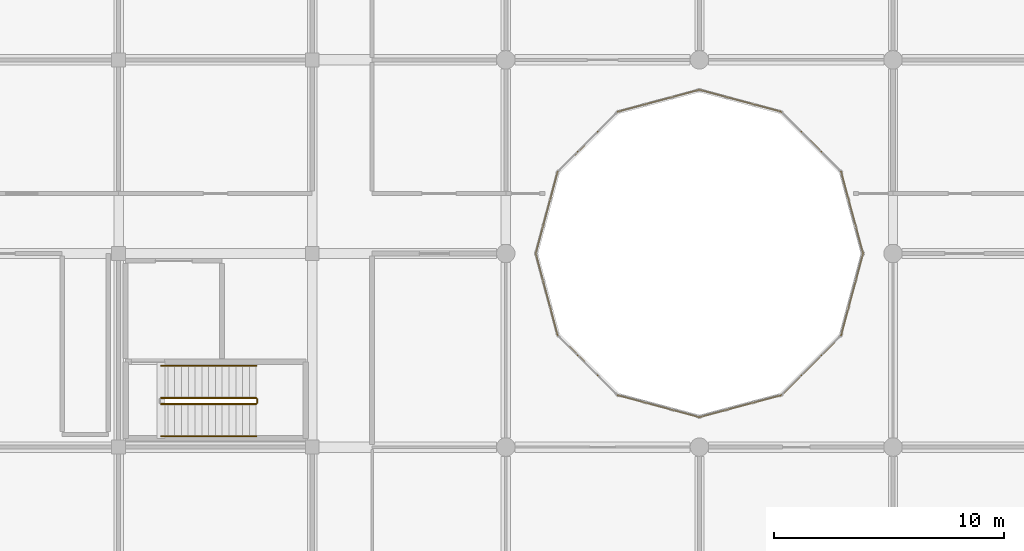
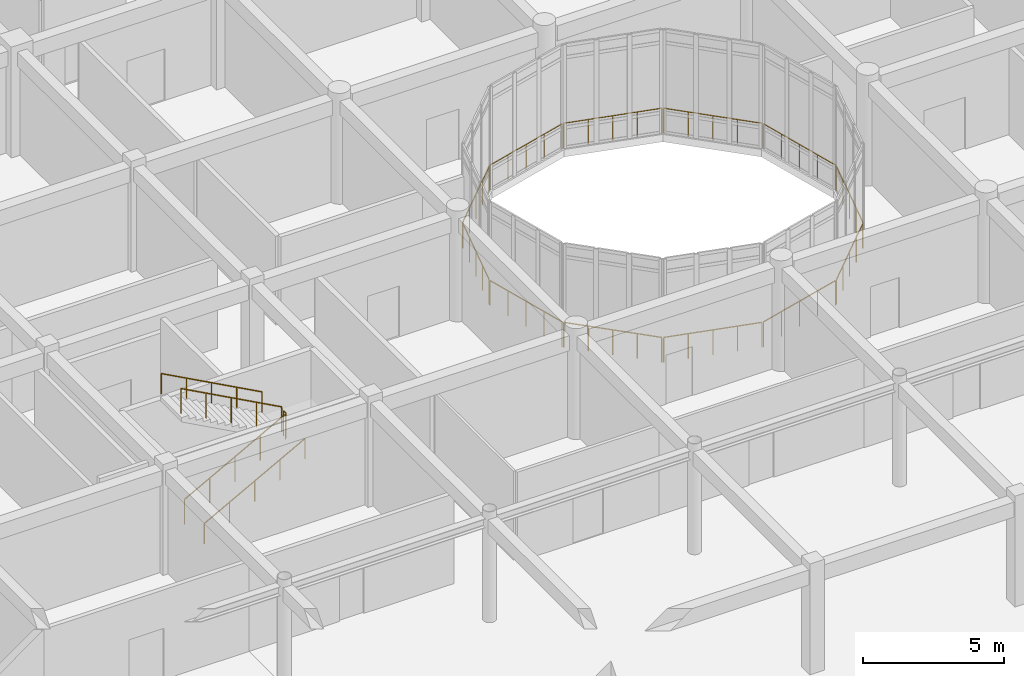
# One storey, part 126 of 138: 17 railings.
"""IFC4 building model written with IfcOpenShell, lengths in metres."""

from ifc_helpers import new_model, si_unit, direction, frame, origin, origin_2d, place, context, subcontext, project, spatial, circle, extrude, material, type_object, element, save


model = new_model("IFC4")

# Units and contexts
model_context = context("Model", 3, precision=1e-05, world=origin(), true_north=direction((0.0, 1.0)))
body_context = subcontext(model_context, "Body", "Model", "MODEL_VIEW")
ifc_project = project(units=[si_unit("LENGTHUNIT", "METRE"), si_unit("AREAUNIT", "SQUARE_METRE"), si_unit("VOLUMEUNIT", "CUBIC_METRE"), si_unit("PLANEANGLEUNIT", "RADIAN"), si_unit("MASSUNIT", "GRAM", prefix="KILO")], contexts=[model_context])

# Site, building, storey
site_placement = place(None, origin())
site = spatial("IfcSite", under=ifc_project, at=site_placement, CompositionType="ELEMENT")
building_placement = place(site_placement, origin())
building = spatial("IfcBuilding", under=site, at=building_placement, Name="Bramfleet General Hospital", CompositionType="ELEMENT")
storey_placement = place(building_placement, origin())
storey = spatial("IfcBuildingStorey", under=building, at=storey_placement, Name="L00", CompositionType="ELEMENT", Elevation=0.0)

# Railings
ifc_material_1 = material(Name="Stainless steel 1.4401 safety balustrade", Category="steel")
railing_type_1 = type_object("IfcRailingType", Name="RAIL-EXT-GUARD", PredefinedType="GUARDRAIL", material=ifc_material_1)
railing_1_placement = place(storey_placement, frame((76.906005859375, 75.564453125, 0.0)))
element("IfcRailing", 1, at=railing_1_placement, inside=storey, type_object=railing_type_1, Name="L00 Safety Guard Rail 13", PredefinedType="GUARDRAIL", context=body_context, shape_type="SweptSolid", body=[
    extrude(circle(Radius=0.02392578125, at=origin_2d()), frame((0.0, 0.0, 1.076171875), z_axis=(0.258809459738, -0.965928394629, 0.0), x_axis=(0.965928394629, 0.258809459738, 0.0)), (0.0, 0.0, 1.0), 3.603515625),
    extrude(circle(Radius=0.02099609375, at=origin_2d()), origin(), (0.0, 0.0, 1.0), 1.052001953125),
    extrude(circle(Radius=0.02099609375, at=origin_2d()), frame((0.233154296875, -0.8701171875, 0.0)), (0.0, 0.0, 1.0), 1.052001953125),
    extrude(circle(Radius=0.02099609375, at=origin_2d()), frame((0.46630859375, -1.740234375, 0.0)), (0.0, 0.0, 1.0), 1.052001953125),
    extrude(circle(Radius=0.02099609375, at=origin_2d()), frame((0.699462890625, -2.610595703125, 0.0)), (0.0, 0.0, 1.0), 1.052001953125),
    extrude(circle(Radius=0.02099609375, at=origin_2d()), frame((0.9326171875, -3.480712890625, 0.0)), (0.0, 0.0, 1.0), 1.052001953125),
])
railing_2_placement = place(storey_placement, frame((77.874267578125, 72.022216796875, 0.0)))
element("IfcRailing", 2, at=railing_2_placement, inside=storey, type_object=railing_type_1, Name="L00 Safety Guard Rail 14", PredefinedType="GUARDRAIL", context=body_context, shape_type="SweptSolid", body=[
    extrude(circle(Radius=0.02392578125, at=origin_2d()), frame((0.0, 0.0, 1.076171875), z_axis=(0.707072903751, -0.707140656999, 0.0), x_axis=(0.707140656999, 0.707072903751, 0.0)), (0.0, 0.0, 1.0), 3.603271484375),
    extrude(circle(Radius=0.02099609375, at=origin_2d()), origin(), (0.0, 0.0, 1.0), 1.052001953125),
    extrude(circle(Radius=0.02099609375, at=origin_2d()), frame((0.636962890625, -0.636962890625, 0.0)), (0.0, 0.0, 1.0), 1.052001953125),
    extrude(circle(Radius=0.02099609375, at=origin_2d()), frame((1.27392578125, -1.27392578125, 0.0)), (0.0, 0.0, 1.0), 1.052001953125),
    extrude(circle(Radius=0.02099609375, at=origin_2d()), frame((1.910888671875, -1.9111328125, 0.0)), (0.0, 0.0, 1.0), 1.052001953125),
    extrude(circle(Radius=0.02099609375, at=origin_2d()), frame((2.5478515625, -2.548095703125, 0.0)), (0.0, 0.0, 1.0), 1.052001953125),
])
railing_3_placement = place(storey_placement, frame((80.48388671875, 69.438720703125, 0.0)))
element("IfcRailing", 3, at=railing_3_placement, inside=storey, type_object=railing_type_1, Name="L00 Safety Guard Rail 15", PredefinedType="GUARDRAIL", context=body_context, shape_type="SweptSolid", body=[
    extrude(circle(Radius=0.02392578125, at=origin_2d()), frame((0.0, 0.0, 1.076171875), z_axis=(0.965928394629, -0.258809459738, 0.0), x_axis=(0.258809459738, 0.965928394629, 0.0)), (0.0, 0.0, 1.0), 3.603515625),
    extrude(circle(Radius=0.02099609375, at=origin_2d()), origin(), (0.0, 0.0, 1.0), 1.052001953125),
    extrude(circle(Radius=0.02099609375, at=origin_2d()), frame((0.8701171875, -0.233154296875, 0.0)), (0.0, 0.0, 1.0), 1.052001953125),
    extrude(circle(Radius=0.02099609375, at=origin_2d()), frame((1.740234375, -0.46630859375, 0.0)), (0.0, 0.0, 1.0), 1.052001953125),
    extrude(circle(Radius=0.02099609375, at=origin_2d()), frame((2.610595703125, -0.699462890625, 0.0)), (0.0, 0.0, 1.0), 1.052001953125),
    extrude(circle(Radius=0.02099609375, at=origin_2d()), frame((3.480712890625, -0.9326171875, 0.0)), (0.0, 0.0, 1.0), 1.052001953125),
])
railing_4_placement = place(storey_placement, frame((84.035400390625, 68.506103515625, 0.0)))
element("IfcRailing", 4, at=railing_4_placement, inside=storey, type_object=railing_type_1, Name="L00 Safety Guard Rail 16", PredefinedType="GUARDRAIL", context=body_context, shape_type="SweptSolid", body=[
    extrude(circle(Radius=0.02392578125, at=origin_2d()), frame((0.0, 0.0, 1.076171875), z_axis=(0.965928394629, 0.258809459738, 0.0), x_axis=(-0.258809459738, 0.965928394629, 0.0)), (0.0, 0.0, 1.0), 3.603515625),
    extrude(circle(Radius=0.02099609375, at=origin_2d()), origin(), (0.0, 0.0, 1.0), 1.052001953125),
    extrude(circle(Radius=0.02099609375, at=origin_2d()), frame((0.8701171875, 0.233154296875, 0.0)), (0.0, 0.0, 1.0), 1.052001953125),
    extrude(circle(Radius=0.02099609375, at=origin_2d()), frame((1.740234375, 0.46630859375, 0.0)), (0.0, 0.0, 1.0), 1.052001953125),
    extrude(circle(Radius=0.02099609375, at=origin_2d()), frame((2.610595703125, 0.699462890625, 0.0)), (0.0, 0.0, 1.0), 1.052001953125),
    extrude(circle(Radius=0.02099609375, at=origin_2d()), frame((3.480712890625, 0.9326171875, 0.0)), (0.0, 0.0, 1.0), 1.052001953125),
])
railing_5_placement = place(storey_placement, frame((87.577880859375, 69.47412109375, 0.0)))
element("IfcRailing", 5, at=railing_5_placement, inside=storey, type_object=railing_type_1, Name="L00 Safety Guard Rail 17", PredefinedType="GUARDRAIL", context=body_context, shape_type="SweptSolid", body=[
    extrude(circle(Radius=0.02392578125, at=origin_2d()), frame((0.0, 0.0, 1.076171875), z_axis=(0.707072903751, 0.707140656999, 0.0), x_axis=(-0.707140656999, 0.707072903751, 0.0)), (0.0, 0.0, 1.0), 3.603271484375),
    extrude(circle(Radius=0.02099609375, at=origin_2d()), origin(), (0.0, 0.0, 1.0), 1.052001953125),
    extrude(circle(Radius=0.02099609375, at=origin_2d()), frame((0.636962890625, 0.636962890625, 0.0)), (0.0, 0.0, 1.0), 1.052001953125),
    extrude(circle(Radius=0.02099609375, at=origin_2d()), frame((1.27392578125, 1.27392578125, 0.0)), (0.0, 0.0, 1.0), 1.052001953125),
    extrude(circle(Radius=0.02099609375, at=origin_2d()), frame((1.910888671875, 1.9111328125, 0.0)), (0.0, 0.0, 1.0), 1.052001953125),
    extrude(circle(Radius=0.02099609375, at=origin_2d()), frame((2.5478515625, 2.548095703125, 0.0)), (0.0, 0.0, 1.0), 1.052001953125),
])
railing_6_placement = place(storey_placement, frame((90.161376953125, 72.083740234375, 0.0)))
element("IfcRailing", 6, at=railing_6_placement, inside=storey, type_object=railing_type_1, Name="L00 Safety Guard Rail 18", PredefinedType="GUARDRAIL", context=body_context, shape_type="SweptSolid", body=[
    extrude(circle(Radius=0.02392578125, at=origin_2d()), frame((0.0, 0.0, 1.076171875), z_axis=(0.258809459738, 0.965928394629, 0.0), x_axis=(-0.965928394629, 0.258809459738, 0.0)), (0.0, 0.0, 1.0), 3.603515625),
    extrude(circle(Radius=0.02099609375, at=origin_2d()), origin(), (0.0, 0.0, 1.0), 1.052001953125),
    extrude(circle(Radius=0.02099609375, at=origin_2d()), frame((0.233154296875, 0.8701171875, 0.0)), (0.0, 0.0, 1.0), 1.052001953125),
    extrude(circle(Radius=0.02099609375, at=origin_2d()), frame((0.46630859375, 1.740234375, 0.0)), (0.0, 0.0, 1.0), 1.052001953125),
    extrude(circle(Radius=0.02099609375, at=origin_2d()), frame((0.699462890625, 2.610595703125, 0.0)), (0.0, 0.0, 1.0), 1.052001953125),
    extrude(circle(Radius=0.02099609375, at=origin_2d()), frame((0.9326171875, 3.480712890625, 0.0)), (0.0, 0.0, 1.0), 1.052001953125),
])
railing_7_placement = place(storey_placement, frame((91.093994140625, 75.635498046875, 0.0)))
element("IfcRailing", 7, at=railing_7_placement, inside=storey, type_object=railing_type_1, Name="L00 Safety Guard Rail 19", PredefinedType="GUARDRAIL", context=body_context, shape_type="SweptSolid", body=[
    extrude(circle(Radius=0.02392578125, at=origin_2d()), frame((0.0, 0.0, 1.076171875), z_axis=(-0.258809459738, 0.965928394629, 0.0), x_axis=(-0.965928394629, -0.258809459738, 0.0)), (0.0, 0.0, 1.0), 3.603515625),
    extrude(circle(Radius=0.02099609375, at=origin_2d()), origin(), (0.0, 0.0, 1.0), 1.052001953125),
    extrude(circle(Radius=0.02099609375, at=origin_2d()), frame((-0.233154296875, 0.8701171875, 0.0)), (0.0, 0.0, 1.0), 1.052001953125),
    extrude(circle(Radius=0.02099609375, at=origin_2d()), frame((-0.46630859375, 1.740234375, 0.0)), (0.0, 0.0, 1.0), 1.052001953125),
    extrude(circle(Radius=0.02099609375, at=origin_2d()), frame((-0.699462890625, 2.610595703125, 0.0)), (0.0, 0.0, 1.0), 1.052001953125),
    extrude(circle(Radius=0.02099609375, at=origin_2d()), frame((-0.9326171875, 3.480712890625, 0.0)), (0.0, 0.0, 1.0), 1.052001953125),
])
railing_8_placement = place(storey_placement, frame((90.125732421875, 79.177734375, 0.0)))
element("IfcRailing", 8, at=railing_8_placement, inside=storey, type_object=railing_type_1, Name="L00 Safety Guard Rail 20", PredefinedType="GUARDRAIL", context=body_context, shape_type="SweptSolid", body=[
    extrude(circle(Radius=0.02392578125, at=origin_2d()), frame((0.0, 0.0, 1.076171875), z_axis=(-0.707072903751, 0.707140656999, 0.0), x_axis=(-0.707140656999, -0.707072903751, 0.0)), (0.0, 0.0, 1.0), 3.603271484375),
    extrude(circle(Radius=0.02099609375, at=origin_2d()), origin(), (0.0, 0.0, 1.0), 1.052001953125),
    extrude(circle(Radius=0.02099609375, at=origin_2d()), frame((-0.636962890625, 0.636962890625, 0.0)), (0.0, 0.0, 1.0), 1.052001953125),
    extrude(circle(Radius=0.02099609375, at=origin_2d()), frame((-1.27392578125, 1.27392578125, 0.0)), (0.0, 0.0, 1.0), 1.052001953125),
    extrude(circle(Radius=0.02099609375, at=origin_2d()), frame((-1.910888671875, 1.9111328125, 0.0)), (0.0, 0.0, 1.0), 1.052001953125),
    extrude(circle(Radius=0.02099609375, at=origin_2d()), frame((-2.5478515625, 2.548095703125, 0.0)), (0.0, 0.0, 1.0), 1.052001953125),
])
railing_9_placement = place(storey_placement, frame((87.51611328125, 81.761474609375, 0.0)))
element("IfcRailing", 9, at=railing_9_placement, inside=storey, type_object=railing_type_1, Name="L00 Safety Guard Rail 21", PredefinedType="GUARDRAIL", context=body_context, shape_type="SweptSolid", body=[
    extrude(circle(Radius=0.02392578125, at=origin_2d()), frame((0.0, 0.0, 1.076171875), z_axis=(-0.965928394629, 0.258809459738, 0.0), x_axis=(-0.258809459738, -0.965928394629, 0.0)), (0.0, 0.0, 1.0), 3.603515625),
    extrude(circle(Radius=0.02099609375, at=origin_2d()), origin(), (0.0, 0.0, 1.0), 1.052001953125),
    extrude(circle(Radius=0.02099609375, at=origin_2d()), frame((-0.8701171875, 0.233154296875, 0.0)), (0.0, 0.0, 1.0), 1.052001953125),
    extrude(circle(Radius=0.02099609375, at=origin_2d()), frame((-1.740234375, 0.46630859375, 0.0)), (0.0, 0.0, 1.0), 1.052001953125),
    extrude(circle(Radius=0.02099609375, at=origin_2d()), frame((-2.610595703125, 0.699462890625, 0.0)), (0.0, 0.0, 1.0), 1.052001953125),
    extrude(circle(Radius=0.02099609375, at=origin_2d()), frame((-3.480712890625, 0.9326171875, 0.0)), (0.0, 0.0, 1.0), 1.052001953125),
])
railing_10_placement = place(storey_placement, frame((83.964599609375, 82.694091796875, 0.0)))
element("IfcRailing", 10, at=railing_10_placement, inside=storey, type_object=railing_type_1, Name="L00 Safety Guard Rail 22", PredefinedType="GUARDRAIL", context=body_context, shape_type="SweptSolid", body=[
    extrude(circle(Radius=0.02392578125, at=origin_2d()), frame((0.0, 0.0, 1.076171875), z_axis=(-0.965928394629, -0.258809459738, 0.0), x_axis=(0.258809459738, -0.965928394629, 0.0)), (0.0, 0.0, 1.0), 3.603515625),
    extrude(circle(Radius=0.02099609375, at=origin_2d()), origin(), (0.0, 0.0, 1.0), 1.052001953125),
    extrude(circle(Radius=0.02099609375, at=origin_2d()), frame((-0.8701171875, -0.233154296875, 0.0)), (0.0, 0.0, 1.0), 1.052001953125),
    extrude(circle(Radius=0.02099609375, at=origin_2d()), frame((-1.740234375, -0.46630859375, 0.0)), (0.0, 0.0, 1.0), 1.052001953125),
    extrude(circle(Radius=0.02099609375, at=origin_2d()), frame((-2.610595703125, -0.699462890625, 0.0)), (0.0, 0.0, 1.0), 1.052001953125),
    extrude(circle(Radius=0.02099609375, at=origin_2d()), frame((-3.480712890625, -0.9326171875, 0.0)), (0.0, 0.0, 1.0), 1.052001953125),
])
railing_11_placement = place(storey_placement, frame((80.422119140625, 81.725830078125, 0.0)))
element("IfcRailing", 11, at=railing_11_placement, inside=storey, type_object=railing_type_1, Name="L00 Safety Guard Rail 23", PredefinedType="GUARDRAIL", context=body_context, shape_type="SweptSolid", body=[
    extrude(circle(Radius=0.02392578125, at=origin_2d()), frame((0.0, 0.0, 1.076171875), z_axis=(-0.707072903751, -0.707140656999, 0.0), x_axis=(0.707140656999, -0.707072903751, 0.0)), (0.0, 0.0, 1.0), 3.603271484375),
    extrude(circle(Radius=0.02099609375, at=origin_2d()), origin(), (0.0, 0.0, 1.0), 1.052001953125),
    extrude(circle(Radius=0.02099609375, at=origin_2d()), frame((-0.636962890625, -0.636962890625, 0.0)), (0.0, 0.0, 1.0), 1.052001953125),
    extrude(circle(Radius=0.02099609375, at=origin_2d()), frame((-1.27392578125, -1.27392578125, 0.0)), (0.0, 0.0, 1.0), 1.052001953125),
    extrude(circle(Radius=0.02099609375, at=origin_2d()), frame((-1.910888671875, -1.9111328125, 0.0)), (0.0, 0.0, 1.0), 1.052001953125),
    extrude(circle(Radius=0.02099609375, at=origin_2d()), frame((-2.5478515625, -2.548095703125, 0.0)), (0.0, 0.0, 1.0), 1.052001953125),
])
railing_12_placement = place(storey_placement, frame((77.838623046875, 79.1162109375, 0.0)))
element("IfcRailing", 12, at=railing_12_placement, inside=storey, type_object=railing_type_1, Name="L00 Safety Guard Rail 24", PredefinedType="GUARDRAIL", context=body_context, shape_type="SweptSolid", body=[
    extrude(circle(Radius=0.02392578125, at=origin_2d()), frame((0.0, 0.0, 1.076171875), z_axis=(-0.258809459738, -0.965928394629, 0.0), x_axis=(0.965928394629, -0.258809459738, 0.0)), (0.0, 0.0, 1.0), 3.603515625),
    extrude(circle(Radius=0.02099609375, at=origin_2d()), origin(), (0.0, 0.0, 1.0), 1.052001953125),
    extrude(circle(Radius=0.02099609375, at=origin_2d()), frame((-0.233154296875, -0.8701171875, 0.0)), (0.0, 0.0, 1.0), 1.052001953125),
    extrude(circle(Radius=0.02099609375, at=origin_2d()), frame((-0.46630859375, -1.740234375, 0.0)), (0.0, 0.0, 1.0), 1.052001953125),
    extrude(circle(Radius=0.02099609375, at=origin_2d()), frame((-0.699462890625, -2.610595703125, 0.0)), (0.0, 0.0, 1.0), 1.052001953125),
    extrude(circle(Radius=0.02099609375, at=origin_2d()), frame((-0.9326171875, -3.480712890625, 0.0)), (0.0, 0.0, 1.0), 1.052001953125),
])
ifc_material_2 = material(Name="Powder-coated steel stair balustrade", Category="steel")
railing_type_2 = type_object("IfcRailingType", Name="RAIL-ST-GUARD", PredefinedType="GUARDRAIL", material=ifc_material_2)
railing_13_placement = place(storey_placement, frame((60.639892578125, 69.070068359375, 0.159912109375)))
element("IfcRailing", 13, at=railing_13_placement, inside=storey, type_object=railing_type_2, Name="L00 ST-C13 stair guard 1", PredefinedType="GUARDRAIL", context=body_context, shape_type="SweptSolid", body=[
    extrude(circle(Radius=0.02392578125, at=origin_2d()), frame((0.0, 0.0, 1.076171875), z_axis=(0.879038868435, 0.0, 0.476750110415), x_axis=(0.0, 1.0, 0.0)), (0.0, 0.0, 1.0), 4.698486328125),
    extrude(circle(Radius=0.02099609375, at=origin_2d()), origin(), (0.0, 0.0, 1.0), 1.052001953125),
    extrude(circle(Radius=0.02099609375, at=origin_2d()), frame((1.032470703125, 0.0, 0.56005859375)), (0.0, 0.0, 1.0), 1.052001953125),
    extrude(circle(Radius=0.02099609375, at=origin_2d()), frame((2.06494140625, 0.0, 1.1201171875)), (0.0, 0.0, 1.0), 1.052001953125),
    extrude(circle(Radius=0.02099609375, at=origin_2d()), frame((3.09765625, 0.0, 1.679931640625)), (0.0, 0.0, 1.0), 1.052001953125),
    extrude(circle(Radius=0.02099609375, at=origin_2d()), frame((4.130126953125, 0.0, 2.239990234375)), (0.0, 0.0, 1.0), 1.052001953125),
])
railing_14_placement = place(storey_placement, frame((64.820068359375, 69.1201171875, 2.39990234375)))
element("IfcRailing", 14, at=railing_14_placement, inside=storey, type_object=railing_type_2, Name="L00 ST-C13 stair guard 2", PredefinedType="GUARDRAIL", context=body_context, shape_type="SweptSolid", body=[
    extrude(circle(Radius=0.02392578125, at=origin_2d()), frame((0.0, 0.0, 1.076171875), z_axis=(0.0, 1.0, 0.0), x_axis=(-1.0, 0.0, 0.0)), (0.0, 0.0, 1.0), 0.159912109375),
    extrude(circle(Radius=0.02099609375, at=origin_2d()), origin(), (0.0, 0.0, 1.0), 1.052001953125),
    extrude(circle(Radius=0.02099609375, at=origin_2d()), frame((0.0, 0.159912109375, 0.0)), (0.0, 0.0, 1.0), 1.052001953125),
])
railing_15_placement = place(storey_placement, frame((64.77001953125, 69.330078125, 2.56005859375)))
element("IfcRailing", 15, at=railing_15_placement, inside=storey, type_object=railing_type_2, Name="L00 ST-C13 stair guard 3", PredefinedType="GUARDRAIL", context=body_context, shape_type="SweptSolid", body=[
    extrude(circle(Radius=0.02392578125, at=origin_2d()), frame((0.0, 0.0, 1.076171875), z_axis=(-0.879038868435, 0.0, 0.476750110415), x_axis=(0.0, -1.0, 0.0)), (0.0, 0.0, 1.0), 4.698486328125),
    extrude(circle(Radius=0.02099609375, at=origin_2d()), origin(), (0.0, 0.0, 1.0), 1.052001953125),
    extrude(circle(Radius=0.02099609375, at=origin_2d()), frame((-1.032470703125, 0.0, 0.56005859375)), (0.0, 0.0, 1.0), 1.052001953125),
    extrude(circle(Radius=0.02099609375, at=origin_2d()), frame((-2.06494140625, 0.0, 1.1201171875)), (0.0, 0.0, 1.0), 1.052001953125),
    extrude(circle(Radius=0.02099609375, at=origin_2d()), frame((-3.09765625, 0.0, 1.679931640625)), (0.0, 0.0, 1.0), 1.052001953125),
    extrude(circle(Radius=0.02099609375, at=origin_2d()), frame((-4.130126953125, 0.0, 2.239990234375)), (0.0, 0.0, 1.0), 1.052001953125),
])
ifc_material_3 = material(Name="Stainless steel 1.4301 stair handrail", Category="steel")
railing_type_3 = type_object("IfcRailingType", Name="RAIL-ST-HND", PredefinedType="HANDRAIL", material=ifc_material_3)
railing_16_placement = place(storey_placement, frame((60.639892578125, 67.669921875, 0.159912109375)))
element("IfcRailing", 16, at=railing_16_placement, inside=storey, type_object=railing_type_3, Name="L00 ST-C13 stair handrail 1", PredefinedType="HANDRAIL", context=body_context, shape_type="SweptSolid", body=[
    extrude(circle(Radius=0.02392578125, at=origin_2d()), frame((0.0, 0.0, 0.8759765625), z_axis=(0.879038868435, 0.0, 0.476750110415), x_axis=(0.0, 1.0, 0.0)), (0.0, 0.0, 1.0), 4.698486328125),
    extrude(circle(Radius=0.02099609375, at=origin_2d()), origin(), (0.0, 0.0, 1.0), 0.851806640625),
    extrude(circle(Radius=0.02099609375, at=origin_2d()), frame((1.032470703125, 0.0, 0.56005859375)), (0.0, 0.0, 1.0), 0.851806640625),
    extrude(circle(Radius=0.02099609375, at=origin_2d()), frame((2.06494140625, 0.0, 1.1201171875)), (0.0, 0.0, 1.0), 0.851806640625),
    extrude(circle(Radius=0.02099609375, at=origin_2d()), frame((3.09765625, 0.0, 1.679931640625)), (0.0, 0.0, 1.0), 0.851806640625),
    extrude(circle(Radius=0.02099609375, at=origin_2d()), frame((4.130126953125, 0.0, 2.239990234375)), (0.0, 0.0, 1.0), 0.851806640625),
])
railing_17_placement = place(storey_placement, frame((64.77001953125, 70.72998046875, 2.56005859375)))
element("IfcRailing", 17, at=railing_17_placement, inside=storey, type_object=railing_type_3, Name="L00 ST-C13 stair handrail 2", PredefinedType="HANDRAIL", context=body_context, shape_type="SweptSolid", body=[
    extrude(circle(Radius=0.02392578125, at=origin_2d()), frame((0.0, 0.0, 0.8759765625), z_axis=(-0.879038868435, 0.0, 0.476750110415), x_axis=(0.0, -1.0, 0.0)), (0.0, 0.0, 1.0), 4.698486328125),
    extrude(circle(Radius=0.02099609375, at=origin_2d()), origin(), (0.0, 0.0, 1.0), 0.851806640625),
    extrude(circle(Radius=0.02099609375, at=origin_2d()), frame((-1.032470703125, 0.0, 0.56005859375)), (0.0, 0.0, 1.0), 0.851806640625),
    extrude(circle(Radius=0.02099609375, at=origin_2d()), frame((-2.06494140625, 0.0, 1.1201171875)), (0.0, 0.0, 1.0), 0.851806640625),
    extrude(circle(Radius=0.02099609375, at=origin_2d()), frame((-3.09765625, 0.0, 1.679931640625)), (0.0, 0.0, 1.0), 0.851806640625),
    extrude(circle(Radius=0.02099609375, at=origin_2d()), frame((-4.130126953125, 0.0, 2.239990234375)), (0.0, 0.0, 1.0), 0.851806640625),
])

save(model, "model.ifc")
